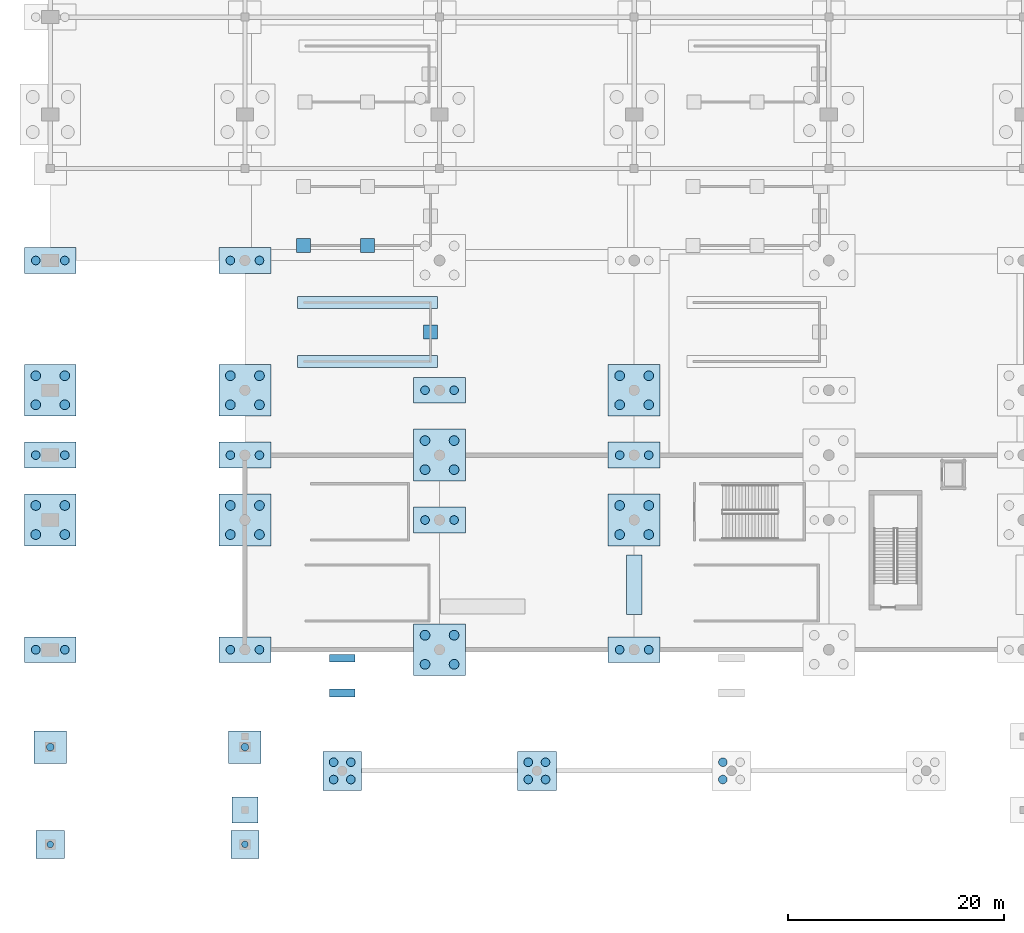
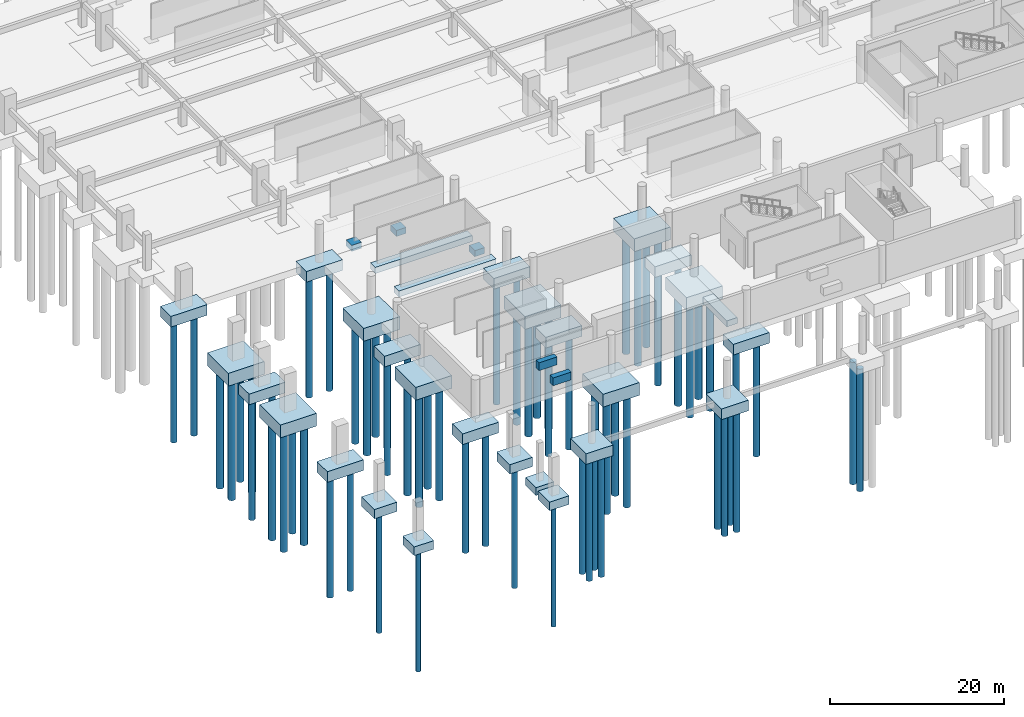
# One storey, part 1 of 26: 66 piles, 33 footings.
"""IFC4 building model written with IfcOpenShell, lengths in metres."""

from ifc_helpers import new_model, si_unit, direction, frame, origin, origin_2d, place, context, subcontext, project, spatial, polyline, circle, outline, extrude, material, material_profile, profile_set, type_object, element, save


model = new_model("IFC4")

# Units and contexts
model_context = context("Model", 3, precision=1e-05, world=origin(), true_north=direction((0.0, 1.0)))
body_context = subcontext(model_context, "Body", "Model", "MODEL_VIEW")
ifc_project = project(units=[si_unit("LENGTHUNIT", "METRE"), si_unit("AREAUNIT", "SQUARE_METRE"), si_unit("VOLUMEUNIT", "CUBIC_METRE"), si_unit("PLANEANGLEUNIT", "RADIAN"), si_unit("MASSUNIT", "GRAM", prefix="KILO")], contexts=[model_context])

# Site, building, storey
site_placement = place(None, origin())
site = spatial("IfcSite", under=ifc_project, at=site_placement, CompositionType="ELEMENT")
building_placement = place(site_placement, origin())
building = spatial("IfcBuilding", under=site, at=building_placement, Name="Chuanluo Vaults Station", CompositionType="ELEMENT")
storey_placement = place(building_placement, frame((0.0, 0.0, -5.39990234375)))
storey = spatial("IfcBuildingStorey", under=building, at=storey_placement, Name="B1", CompositionType="ELEMENT", Elevation=-5.39990234375)

# Footings
ifc_material_1 = material(Name="Concrete C40", Category="concrete")
footing_type_1 = type_object("IfcFootingType", Name="FTG-PAD-100", PredefinedType="PAD_FOOTING", material=ifc_material_1)
footing_1_placement = place(storey_placement, frame((0.0, 0.0, -0.85009765625)))
element("IfcFooting", 1, at=footing_1_placement, inside=storey, type_object=footing_type_1, Name="Stair shaft pad footing ST-07_L-1", PredefinedType="PAD_FOOTING", context=body_context, shape_type="SweptSolid", body=[
    extrude(outline(polyline([(22.77490234375, 54.75), (24.074951171875, 54.75), (24.074951171875, 56.050048828125), (22.77490234375, 56.050048828125), (22.77490234375, 54.75)])), origin(), (0.0, 0.0, 1.0), 0.85009765625),
])
footing_2_placement = place(storey_placement, frame((0.0, 0.0, -0.85009765625)))
element("IfcFooting", 2, at=footing_2_placement, inside=storey, type_object=footing_type_1, Name="Stair shaft pad footing ST-07_L-2", PredefinedType="PAD_FOOTING", context=body_context, shape_type="SweptSolid", body=[
    extrude(outline(polyline([(28.6875, 54.75), (29.987548828125, 54.75), (29.987548828125, 56.050048828125), (28.6875, 56.050048828125), (28.6875, 54.75)])), origin(), (0.0, 0.0, 1.0), 0.85009765625),
])
footing_3_placement = place(storey_placement, frame((0.0, 0.0, -0.85009765625)))
element("IfcFooting", 3, at=footing_3_placement, inside=storey, type_object=footing_type_1, Name="Stair shaft pad footing ST-20_F-2", PredefinedType="PAD_FOOTING", context=body_context, shape_type="SweptSolid", body=[
    extrude(outline(polyline([(34.5, 46.72509765625), (35.800048828125, 46.72509765625), (35.800048828125, 48.02490234375), (34.5, 48.02490234375), (34.5, 46.72509765625)])), origin(), (0.0, 0.0, 1.0), 0.85009765625),
])
ifc_material_2 = material(Name="Concrete C40", Category="concrete")
footing_type_2 = type_object("IfcFootingType", Name="FTG-PC-11", PredefinedType="PAD_FOOTING", material=ifc_material_2)
footing_4_placement = place(storey_placement, frame((0.0, 0.0, -1.10009765625)))
element("IfcFooting", 4, at=footing_4_placement, inside=storey, type_object=footing_type_2, Name="Canopy end column footing 18-3", PredefinedType="PAD_FOOTING", context=body_context, shape_type="SweptSolid", body=[
    extrude(outline(polyline([(16.800048828125, 2.0), (19.199951171875, 2.0), (19.199951171875, 4.39990234375), (16.800048828125, 4.39990234375), (16.800048828125, 2.0)])), origin(), (0.0, 0.0, 1.0), 1.10009765625),
])
footing_5_placement = place(storey_placement, frame((0.0, 0.0, 4.119873046875)))
element("IfcFooting", 5, at=footing_5_placement, inside=storey, type_object=footing_type_2, Name="Accessible ramp foundation pad RM-A1-1", PredefinedType="PAD_FOOTING", context=body_context, shape_type="SweptSolid", body=[
    extrude(outline(polyline([(25.800048828125, 13.64990234375), (28.199951171875, 13.64990234375), (28.199951171875, 14.35009765625), (25.800048828125, 14.35009765625), (25.800048828125, 13.64990234375)])), origin(), (0.0, 0.0, 1.0), 1.10009765625),
])
footing_6_placement = place(storey_placement, frame((0.0, 0.0, 4.2998046875)))
element("IfcFooting", 6, at=footing_6_placement, inside=storey, type_object=footing_type_2, Name="Accessible ramp foundation pad RM-A1-2", PredefinedType="PAD_FOOTING", context=body_context, shape_type="SweptSolid", body=[
    extrude(outline(polyline([(25.800048828125, 16.85009765625), (28.199951171875, 16.85009765625), (28.199951171875, 17.550048828125), (25.800048828125, 17.550048828125), (25.800048828125, 16.85009765625)])), origin(), (0.0, 0.0, 1.0), 1.10009765625),
])
ifc_material_3 = material(Name="Concrete C40", Category="concrete")
footing_type_3 = type_object("IfcFootingType", Name="FTG-PC-2", PredefinedType="PILE_CAP", material=ifc_material_3)
footing_7_placement = place(storey_placement, frame((0.0, 0.0, -1.800048828125)))
element("IfcFooting", 7, at=footing_7_placement, inside=storey, type_object=footing_type_3, Name="Pile cap PC-004", PredefinedType="PILE_CAP", context=body_context, shape_type="SweptSolid", body=[
    extrude(outline(polyline([(-2.39990234375, 27.60009765625), (2.39990234375, 27.60009765625), (2.39990234375, 32.39990234375), (-2.39990234375, 32.39990234375), (-2.39990234375, 27.60009765625)])), origin(), (0.0, 0.0, 1.0), 1.800048828125),
])
footing_8_placement = place(storey_placement, frame((0.0, 0.0, -1.800048828125)))
element("IfcFooting", 8, at=footing_8_placement, inside=storey, type_object=footing_type_3, Name="Pile cap PC-006", PredefinedType="PILE_CAP", context=body_context, shape_type="SweptSolid", body=[
    extrude(outline(polyline([(-2.39990234375, 39.60009765625), (2.39990234375, 39.60009765625), (2.39990234375, 44.39990234375), (-2.39990234375, 44.39990234375), (-2.39990234375, 39.60009765625)])), origin(), (0.0, 0.0, 1.0), 1.800048828125),
])
footing_9_placement = place(storey_placement, frame((0.0, 0.0, -2.800048828125)))
element("IfcFooting", 9, at=footing_9_placement, inside=storey, type_object=footing_type_3, Name="Pile cap PC-018", PredefinedType="PILE_CAP", context=body_context, shape_type="SweptSolid", body=[
    extrude(outline(polyline([(15.60009765625, 27.60009765625), (20.39990234375, 27.60009765625), (20.39990234375, 32.39990234375), (15.60009765625, 32.39990234375), (15.60009765625, 27.60009765625)])), origin(), (0.0, 0.0, 1.0), 1.800048828125),
])
footing_10_placement = place(storey_placement, frame((0.0, 0.0, -1.800048828125)))
element("IfcFooting", 10, at=footing_10_placement, inside=storey, type_object=footing_type_3, Name="Pile cap PC-020", PredefinedType="PILE_CAP", context=body_context, shape_type="SweptSolid", body=[
    extrude(outline(polyline([(15.60009765625, 39.60009765625), (20.39990234375, 39.60009765625), (20.39990234375, 44.39990234375), (15.60009765625, 44.39990234375), (15.60009765625, 39.60009765625)])), origin(), (0.0, 0.0, 1.0), 1.800048828125),
])
footing_11_placement = place(storey_placement, frame((0.0, 0.0, -2.800048828125)))
element("IfcFooting", 11, at=footing_11_placement, inside=storey, type_object=footing_type_3, Name="Pile cap PC-026", PredefinedType="PILE_CAP", context=body_context, shape_type="SweptSolid", body=[
    extrude(outline(polyline([(33.60009765625, 15.60009765625), (38.39990234375, 15.60009765625), (38.39990234375, 20.39990234375), (33.60009765625, 20.39990234375), (33.60009765625, 15.60009765625)])), origin(), (0.0, 0.0, 1.0), 1.800048828125),
])
footing_12_placement = place(storey_placement, frame((0.0, 0.0, -2.800048828125)))
element("IfcFooting", 12, at=footing_12_placement, inside=storey, type_object=footing_type_3, Name="Pile cap PC-028", PredefinedType="PILE_CAP", context=body_context, shape_type="SweptSolid", body=[
    extrude(outline(polyline([(33.60009765625, 33.60009765625), (38.39990234375, 33.60009765625), (38.39990234375, 38.39990234375), (33.60009765625, 38.39990234375), (33.60009765625, 33.60009765625)])), origin(), (0.0, 0.0, 1.0), 1.800048828125),
])
footing_13_placement = place(storey_placement, frame((0.0, 0.0, -2.800048828125)))
element("IfcFooting", 13, at=footing_13_placement, inside=storey, type_object=footing_type_3, Name="Pile cap PC-036", PredefinedType="PILE_CAP", context=body_context, shape_type="SweptSolid", body=[
    extrude(outline(polyline([(51.60009765625, 27.60009765625), (56.39990234375, 27.60009765625), (56.39990234375, 32.39990234375), (51.60009765625, 32.39990234375), (51.60009765625, 27.60009765625)])), origin(), (0.0, 0.0, 1.0), 1.800048828125),
])
footing_14_placement = place(storey_placement, frame((0.0, 0.0, -1.800048828125)))
element("IfcFooting", 14, at=footing_14_placement, inside=storey, type_object=footing_type_3, Name="Pile cap PC-038", PredefinedType="PILE_CAP", context=body_context, shape_type="SweptSolid", body=[
    extrude(outline(polyline([(51.60009765625, 39.60009765625), (56.39990234375, 39.60009765625), (56.39990234375, 44.39990234375), (51.60009765625, 44.39990234375), (51.60009765625, 39.60009765625)])), origin(), (0.0, 0.0, 1.0), 1.800048828125),
])
ifc_material_4 = material(Name="Concrete C40", Category="concrete")
footing_type_4 = type_object("IfcFootingType", Name="FTG-PC-4", PredefinedType="PILE_CAP", material=ifc_material_4)
footing_15_placement = place(storey_placement, frame((0.0, 0.0, -1.5)))
element("IfcFooting", 15, at=footing_15_placement, inside=storey, type_object=footing_type_4, Name="Canopy Y-pier pile cap 01", PredefinedType="PILE_CAP", context=body_context, shape_type="SweptSolid", body=[
    extrude(outline(polyline([(25.199951171875, 5.0), (28.800048828125, 5.0), (28.800048828125, 8.60009765625), (25.199951171875, 8.60009765625), (25.199951171875, 5.0)])), origin(), (0.0, 0.0, 1.0), 1.5),
])
footing_16_placement = place(storey_placement, frame((0.0, 0.0, -1.5)))
element("IfcFooting", 16, at=footing_16_placement, inside=storey, type_object=footing_type_4, Name="Canopy Y-pier pile cap 02", PredefinedType="PILE_CAP", context=body_context, shape_type="SweptSolid", body=[
    extrude(outline(polyline([(43.199951171875, 5.0), (46.800048828125, 5.0), (46.800048828125, 8.60009765625), (43.199951171875, 8.60009765625), (43.199951171875, 5.0)])), origin(), (0.0, 0.0, 1.0), 1.5),
])
ifc_material_5 = material(Name="Concrete C40", Category="concrete")
footing_type_5 = type_object("IfcFootingType", Name="FTG-PC-5", PredefinedType="PILE_CAP", material=ifc_material_5)
footing_17_placement = place(storey_placement, frame((0.0, 0.0, -1.300048828125)))
element("IfcFooting", 17, at=footing_17_placement, inside=storey, type_object=footing_type_5, Name="Pile cap PC-002", PredefinedType="PILE_CAP", context=body_context, shape_type="SweptSolid", body=[
    extrude(outline(polyline([(-1.5, 7.5), (1.5, 7.5), (1.5, 10.5), (-1.5, 10.5), (-1.5, 7.5)])), origin(), (0.0, 0.0, 1.0), 1.300048828125),
])
footing_18_placement = place(storey_placement, frame((0.0, 0.0, -1.300048828125)))
element("IfcFooting", 18, at=footing_18_placement, inside=storey, type_object=footing_type_5, Name="Pile cap PC-016", PredefinedType="PILE_CAP", context=body_context, shape_type="SweptSolid", body=[
    extrude(outline(polyline([(16.5, 7.5), (19.5, 7.5), (19.5, 10.5), (16.5, 10.5), (16.5, 7.5)])), origin(), (0.0, 0.0, 1.0), 1.300048828125),
])
ifc_material_6 = material(Name="Concrete C40", Category="concrete")
footing_type_6 = type_object("IfcFootingType", Name="FTG-PC-6", PredefinedType="PILE_CAP", material=ifc_material_6)
footing_19_placement = place(storey_placement, frame((0.0, 0.0, -1.2001953125)))
element("IfcFooting", 19, at=footing_19_placement, inside=storey, type_object=footing_type_6, Name="Pile cap PC-001", PredefinedType="PILE_CAP", context=body_context, shape_type="SweptSolid", body=[
    extrude(outline(polyline([(-1.300048828125, -1.300048828125), (1.300048828125, -1.300048828125), (1.300048828125, 1.300048828125), (-1.300048828125, 1.300048828125), (-1.300048828125, -1.300048828125)])), origin(), (0.0, 0.0, 1.0), 1.2001953125),
])
footing_20_placement = place(storey_placement, frame((0.0, 0.0, -1.2001953125)))
element("IfcFooting", 20, at=footing_20_placement, inside=storey, type_object=footing_type_6, Name="Pile cap PC-015", PredefinedType="PILE_CAP", context=body_context, shape_type="SweptSolid", body=[
    extrude(outline(polyline([(16.699951171875, -1.300048828125), (19.300048828125, -1.300048828125), (19.300048828125, 1.300048828125), (16.699951171875, 1.300048828125), (16.699951171875, -1.300048828125)])), origin(), (0.0, 0.0, 1.0), 1.2001953125),
])
ifc_material_7 = material(Name="Concrete C40", Category="concrete")
footing_type_7 = type_object("IfcFootingType", Name="FTG-PC-7", PredefinedType="PILE_CAP", material=ifc_material_7)
footing_21_placement = place(storey_placement, frame((0.0, 0.0, -1.5)))
element("IfcFooting", 21, at=footing_21_placement, inside=storey, type_object=footing_type_7, Name="Pile cap PC-003", PredefinedType="PILE_CAP", context=body_context, shape_type="SweptSolid", body=[
    extrude(outline(polyline([(-2.39990234375, 16.800048828125), (2.39990234375, 16.800048828125), (2.39990234375, 19.199951171875), (-2.39990234375, 19.199951171875), (-2.39990234375, 16.800048828125)])), origin(), (0.0, 0.0, 1.0), 1.5),
])
footing_22_placement = place(storey_placement, frame((0.0, 0.0, -1.5)))
element("IfcFooting", 22, at=footing_22_placement, inside=storey, type_object=footing_type_7, Name="Pile cap PC-005", PredefinedType="PILE_CAP", context=body_context, shape_type="SweptSolid", body=[
    extrude(outline(polyline([(-2.39990234375, 34.800048828125), (2.39990234375, 34.800048828125), (2.39990234375, 37.199951171875), (-2.39990234375, 37.199951171875), (-2.39990234375, 34.800048828125)])), origin(), (0.0, 0.0, 1.0), 1.5),
])
footing_23_placement = place(storey_placement, frame((0.0, 0.0, -1.5)))
element("IfcFooting", 23, at=footing_23_placement, inside=storey, type_object=footing_type_7, Name="Pile cap PC-007", PredefinedType="PILE_CAP", context=body_context, shape_type="SweptSolid", body=[
    extrude(outline(polyline([(-2.39990234375, 52.800048828125), (2.39990234375, 52.800048828125), (2.39990234375, 55.199951171875), (-2.39990234375, 55.199951171875), (-2.39990234375, 52.800048828125)])), origin(), (0.0, 0.0, 1.0), 1.5),
])
footing_24_placement = place(storey_placement, frame((0.0, 0.0, -2.5)))
element("IfcFooting", 24, at=footing_24_placement, inside=storey, type_object=footing_type_7, Name="Pile cap PC-017", PredefinedType="PILE_CAP", context=body_context, shape_type="SweptSolid", body=[
    extrude(outline(polyline([(15.60009765625, 16.800048828125), (20.39990234375, 16.800048828125), (20.39990234375, 19.199951171875), (15.60009765625, 19.199951171875), (15.60009765625, 16.800048828125)])), origin(), (0.0, 0.0, 1.0), 1.5),
])
footing_25_placement = place(storey_placement, frame((0.0, 0.0, -2.5)))
element("IfcFooting", 25, at=footing_25_placement, inside=storey, type_object=footing_type_7, Name="Pile cap PC-019", PredefinedType="PILE_CAP", context=body_context, shape_type="SweptSolid", body=[
    extrude(outline(polyline([(15.60009765625, 34.800048828125), (20.39990234375, 34.800048828125), (20.39990234375, 37.199951171875), (15.60009765625, 37.199951171875), (15.60009765625, 34.800048828125)])), origin(), (0.0, 0.0, 1.0), 1.5),
])
footing_26_placement = place(storey_placement, frame((0.0, 0.0, -1.5)))
element("IfcFooting", 26, at=footing_26_placement, inside=storey, type_object=footing_type_7, Name="Pile cap PC-021", PredefinedType="PILE_CAP", context=body_context, shape_type="SweptSolid", body=[
    extrude(outline(polyline([(15.60009765625, 52.800048828125), (20.39990234375, 52.800048828125), (20.39990234375, 55.199951171875), (15.60009765625, 55.199951171875), (15.60009765625, 52.800048828125)])), origin(), (0.0, 0.0, 1.0), 1.5),
])
footing_27_placement = place(storey_placement, frame((0.0, 0.0, -2.5)))
element("IfcFooting", 27, at=footing_27_placement, inside=storey, type_object=footing_type_7, Name="Pile cap PC-027", PredefinedType="PILE_CAP", context=body_context, shape_type="SweptSolid", body=[
    extrude(outline(polyline([(33.60009765625, 28.800048828125), (38.39990234375, 28.800048828125), (38.39990234375, 31.199951171875), (33.60009765625, 31.199951171875), (33.60009765625, 28.800048828125)])), origin(), (0.0, 0.0, 1.0), 1.5),
])
footing_28_placement = place(storey_placement, frame((0.0, 0.0, -1.5)))
element("IfcFooting", 28, at=footing_28_placement, inside=storey, type_object=footing_type_7, Name="Pile cap PC-029", PredefinedType="PILE_CAP", context=body_context, shape_type="SweptSolid", body=[
    extrude(outline(polyline([(33.60009765625, 40.800048828125), (38.39990234375, 40.800048828125), (38.39990234375, 43.199951171875), (33.60009765625, 43.199951171875), (33.60009765625, 40.800048828125)])), origin(), (0.0, 0.0, 1.0), 1.5),
])
footing_29_placement = place(storey_placement, frame((0.0, 0.0, -2.5)))
element("IfcFooting", 29, at=footing_29_placement, inside=storey, type_object=footing_type_7, Name="Pile cap PC-035", PredefinedType="PILE_CAP", context=body_context, shape_type="SweptSolid", body=[
    extrude(outline(polyline([(51.60009765625, 16.800048828125), (56.39990234375, 16.800048828125), (56.39990234375, 19.199951171875), (51.60009765625, 19.199951171875), (51.60009765625, 16.800048828125)])), origin(), (0.0, 0.0, 1.0), 1.5),
])
footing_30_placement = place(storey_placement, frame((0.0, 0.0, -2.5)))
element("IfcFooting", 30, at=footing_30_placement, inside=storey, type_object=footing_type_7, Name="Pile cap PC-037", PredefinedType="PILE_CAP", context=body_context, shape_type="SweptSolid", body=[
    extrude(outline(polyline([(51.60009765625, 34.800048828125), (56.39990234375, 34.800048828125), (56.39990234375, 37.199951171875), (51.60009765625, 37.199951171875), (51.60009765625, 34.800048828125)])), origin(), (0.0, 0.0, 1.0), 1.5),
])
ifc_material_8 = material(Name="Concrete C40", Category="concrete")
footing_type_8 = type_object("IfcFootingType", Name="FTG-SF-3", PredefinedType="STRIP_FOOTING", material=ifc_material_8)
footing_31_placement = place(storey_placement, frame((0.0, 0.0, -1.85009765625)))
element("IfcFooting", 31, at=footing_31_placement, inside=storey, type_object=footing_type_8, Name="Perimeter wall strip footing SF-06", PredefinedType="STRIP_FOOTING", context=body_context, shape_type="SweptSolid", body=[
    extrude(outline(polyline([(53.300048828125, 21.25), (54.699951171875, 21.25), (54.699951171875, 26.75), (53.300048828125, 26.75), (53.300048828125, 21.25)])), origin(), (0.0, 0.0, 1.0), 0.85009765625),
])
footing_32_placement = place(storey_placement, frame((0.0, 0.0, -0.85009765625)))
element("IfcFooting", 32, at=footing_32_placement, inside=storey, type_object=footing_type_8, Name="Stair shaft strip footing ST-20_L", PredefinedType="STRIP_FOOTING", context=body_context, shape_type="SweptSolid", body=[
    extrude(outline(polyline([(22.875, 44.10009765625), (35.800048828125, 44.10009765625), (35.800048828125, 45.199951171875), (22.875, 45.199951171875), (22.875, 44.10009765625)])), origin(), (0.0, 0.0, 1.0), 0.85009765625),
])
footing_33_placement = place(storey_placement, frame((0.0, 0.0, -0.85009765625)))
element("IfcFooting", 33, at=footing_33_placement, inside=storey, type_object=footing_type_8, Name="Stair shaft strip footing ST-20_R", PredefinedType="STRIP_FOOTING", context=body_context, shape_type="SweptSolid", body=[
    extrude(outline(polyline([(22.875, 49.550048828125), (35.800048828125, 49.550048828125), (35.800048828125, 50.64990234375), (22.875, 50.64990234375), (22.875, 49.550048828125)])), origin(), (0.0, 0.0, 1.0), 0.85009765625),
])

# Piles
ifc_material_9 = material(Name="Concrete C40", Category="concrete")
ifc_material_profile_1 = material_profile(ifc_material_9, circle(Radius=0.300048828125, at=origin_2d()))
ifc_profile_set_1 = profile_set([ifc_material_profile_1], Name="Concrete C40")
pile_type_1 = type_object("IfcPileType", Name="PIL-600", PredefinedType="BORED", material=ifc_profile_set_1)
for number, where, z_axis, x_axis, name in (
    (34, (0.0, 0.0, -1.080078125), (0.0, 0.0, -1.0), (1.0, 0.0, 0.0), "Rock-socketed bored pile 001"),
    (35, (18.0, 0.0, -1.080078125), (0.0, 0.0, -1.0), (1.0, 0.0, 0.0), "Rock-socketed bored pile 035"),
):
    element("IfcPile", number, at=place(storey_placement, frame(where, z_axis=z_axis, x_axis=x_axis)), inside=storey, type_object=pile_type_1, Name=name, PredefinedType="BORED", context=body_context, shape_type="SweptSolid", body=[
        extrude(circle(Radius=0.300048828125, at=origin_2d()), origin(), (0.0, 0.0, 1.0), 17.52001953125),
    ])
ifc_material_10 = material(Name="Concrete C40", Category="concrete")
ifc_material_profile_2 = material_profile(ifc_material_10, circle(Radius=0.35009765625, at=origin_2d()))
ifc_profile_set_2 = profile_set([ifc_material_profile_2], Name="Concrete C40")
pile_type_2 = type_object("IfcPileType", Name="PIL-700", PredefinedType="BORED", material=ifc_profile_set_2)
for number, where, z_axis, x_axis, name in (
    (36, (0.0, 9.0, -1.18017578125), (0.0, 0.0, -1.0), (1.0, 0.0, 0.0), "Rock-socketed bored pile 002"),
    (37, (18.0, 9.0, -1.18017578125), (0.0, 0.0, -1.0), (1.0, 0.0, 0.0), "Rock-socketed bored pile 036"),
):
    element("IfcPile", number, at=place(storey_placement, frame(where, z_axis=z_axis, x_axis=x_axis)), inside=storey, type_object=pile_type_2, Name=name, PredefinedType="BORED", context=body_context, shape_type="SweptSolid", body=[
        extrude(circle(Radius=0.35009765625, at=origin_2d()), origin(), (0.0, 0.0, 1.0), 17.419921875),
    ])
ifc_material_11 = material(Name="Concrete C40", Category="concrete")
ifc_material_profile_3 = material_profile(ifc_material_11, circle(Radius=0.39990234375, at=origin_2d()))
ifc_profile_set_3 = profile_set([ifc_material_profile_3], Name="Concrete C40")
pile_type_3 = type_object("IfcPileType", Name="PIL-800", PredefinedType="BORED", material=ifc_profile_set_3)
for number, where, z_axis, x_axis, name in (
    (38, (-1.343994140625, 18.0, -1.380126953125), (0.0, 0.0, -1.0), (1.0, 0.0, 0.0), "Rock-socketed bored pile 003"),
    (39, (1.343994140625, 18.0, -1.380126953125), (0.0, 0.0, -1.0), (1.0, 0.0, 0.0), "Rock-socketed bored pile 004"),
    (40, (-1.343994140625, 36.0, -1.380126953125), (0.0, 0.0, -1.0), (1.0, 0.0, 0.0), "Rock-socketed bored pile 009"),
    (41, (1.343994140625, 36.0, -1.380126953125), (0.0, 0.0, -1.0), (1.0, 0.0, 0.0), "Rock-socketed bored pile 010"),
    (42, (-1.343994140625, 54.0, -1.380126953125), (0.0, 0.0, -1.0), (1.0, 0.0, 0.0), "Rock-socketed bored pile 015"),
    (43, (1.343994140625, 54.0, -1.380126953125), (0.0, 0.0, -1.0), (1.0, 0.0, 0.0), "Rock-socketed bored pile 016"),
):
    element("IfcPile", number, at=place(storey_placement, frame(where, z_axis=z_axis, x_axis=x_axis)), inside=storey, type_object=pile_type_3, Name=name, PredefinedType="BORED", context=body_context, shape_type="SweptSolid", body=[
        extrude(circle(Radius=0.39990234375, at=origin_2d()), origin(), (0.0, 0.0, 1.0), 17.219970703125),
    ])
for number, where, z_axis, x_axis, name in (
    (44, (16.656005859375, 18.0, -2.380126953125), (0.0, 0.0, -1.0), (1.0, 0.0, 0.0), "Rock-socketed bored pile 037"),
    (45, (19.343994140625, 18.0, -2.380126953125), (0.0, 0.0, -1.0), (1.0, 0.0, 0.0), "Rock-socketed bored pile 038"),
    (46, (16.656005859375, 36.0, -2.380126953125), (0.0, 0.0, -1.0), (1.0, 0.0, 0.0), "Rock-socketed bored pile 043"),
    (47, (19.343994140625, 36.0, -2.380126953125), (0.0, 0.0, -1.0), (1.0, 0.0, 0.0), "Rock-socketed bored pile 044"),
):
    element("IfcPile", number, at=place(storey_placement, frame(where, z_axis=z_axis, x_axis=x_axis)), inside=storey, type_object=pile_type_3, Name=name, PredefinedType="BORED", context=body_context, shape_type="SweptSolid", body=[
        extrude(circle(Radius=0.39990234375, at=origin_2d()), origin(), (0.0, 0.0, 1.0), 16.219970703125),
    ])
for number, where, z_axis, x_axis, name in (
    (48, (16.656005859375, 54.0, -1.380126953125), (0.0, 0.0, -1.0), (1.0, 0.0, 0.0), "Rock-socketed bored pile 049"),
    (49, (19.343994140625, 54.0, -1.380126953125), (0.0, 0.0, -1.0), (1.0, 0.0, 0.0), "Rock-socketed bored pile 050"),
):
    element("IfcPile", number, at=place(storey_placement, frame(where, z_axis=z_axis, x_axis=x_axis)), inside=storey, type_object=pile_type_3, Name=name, PredefinedType="BORED", context=body_context, shape_type="SweptSolid", body=[
        extrude(circle(Radius=0.39990234375, at=origin_2d()), origin(), (0.0, 0.0, 1.0), 17.219970703125),
    ])
for number, where, z_axis, x_axis, name in (
    (50, (34.656005859375, 30.0, -2.380126953125), (0.0, 0.0, -1.0), (1.0, 0.0, 0.0), "Rock-socketed bored pile 065"),
    (51, (37.343994140625, 30.0, -2.380126953125), (0.0, 0.0, -1.0), (1.0, 0.0, 0.0), "Rock-socketed bored pile 066"),
):
    element("IfcPile", number, at=place(storey_placement, frame(where, z_axis=z_axis, x_axis=x_axis)), inside=storey, type_object=pile_type_3, Name=name, PredefinedType="BORED", context=body_context, shape_type="SweptSolid", body=[
        extrude(circle(Radius=0.39990234375, at=origin_2d()), origin(), (0.0, 0.0, 1.0), 16.219970703125),
    ])
for number, where, z_axis, x_axis, name in (
    (52, (34.656005859375, 42.0, -1.380126953125), (0.0, 0.0, -1.0), (1.0, 0.0, 0.0), "Rock-socketed bored pile 071"),
    (53, (37.343994140625, 42.0, -1.380126953125), (0.0, 0.0, -1.0), (1.0, 0.0, 0.0), "Rock-socketed bored pile 072"),
):
    element("IfcPile", number, at=place(storey_placement, frame(where, z_axis=z_axis, x_axis=x_axis)), inside=storey, type_object=pile_type_3, Name=name, PredefinedType="BORED", context=body_context, shape_type="SweptSolid", body=[
        extrude(circle(Radius=0.39990234375, at=origin_2d()), origin(), (0.0, 0.0, 1.0), 17.219970703125),
    ])
for number, where, z_axis, x_axis, name in (
    (54, (52.656005859375, 18.0, -2.380126953125), (0.0, 0.0, -1.0), (1.0, 0.0, 0.0), "Rock-socketed bored pile 087"),
    (55, (55.343994140625, 18.0, -2.380126953125), (0.0, 0.0, -1.0), (1.0, 0.0, 0.0), "Rock-socketed bored pile 088"),
    (56, (52.656005859375, 36.0, -2.380126953125), (0.0, 0.0, -1.0), (1.0, 0.0, 0.0), "Rock-socketed bored pile 093"),
    (57, (55.343994140625, 36.0, -2.380126953125), (0.0, 0.0, -1.0), (1.0, 0.0, 0.0), "Rock-socketed bored pile 094"),
):
    element("IfcPile", number, at=place(storey_placement, frame(where, z_axis=z_axis, x_axis=x_axis)), inside=storey, type_object=pile_type_3, Name=name, PredefinedType="BORED", context=body_context, shape_type="SweptSolid", body=[
        extrude(circle(Radius=0.39990234375, at=origin_2d()), origin(), (0.0, 0.0, 1.0), 16.219970703125),
    ])
for number, where, z_axis, x_axis, name in (
    (58, (26.199951171875, 6.0, -1.380126953125), (0.0, 0.0, -1.0), (1.0, 0.0, 0.0), "Canopy Y-pier bored pile 1.1"),
    (59, (27.800048828125, 6.0, -1.380126953125), (0.0, 0.0, -1.0), (1.0, 0.0, 0.0), "Canopy Y-pier bored pile 1.2"),
    (60, (26.199951171875, 7.60009765625, -1.380126953125), (0.0, 0.0, -1.0), (1.0, 0.0, 0.0), "Canopy Y-pier bored pile 1.3"),
    (61, (27.800048828125, 7.60009765625, -1.380126953125), (0.0, 0.0, -1.0), (1.0, 0.0, 0.0), "Canopy Y-pier bored pile 1.4"),
    (62, (44.199951171875, 6.0, -1.380126953125), (0.0, 0.0, -1.0), (1.0, 0.0, 0.0), "Canopy Y-pier bored pile 2.1"),
    (63, (45.800048828125, 6.0, -1.380126953125), (0.0, 0.0, -1.0), (1.0, 0.0, 0.0), "Canopy Y-pier bored pile 2.2"),
    (64, (44.199951171875, 7.60009765625, -1.380126953125), (0.0, 0.0, -1.0), (1.0, 0.0, 0.0), "Canopy Y-pier bored pile 2.3"),
    (65, (45.800048828125, 7.60009765625, -1.380126953125), (0.0, 0.0, -1.0), (1.0, 0.0, 0.0), "Canopy Y-pier bored pile 2.4"),
    (66, (62.199951171875, 6.0, -1.380126953125), (0.0, 0.0, -1.0), (1.0, 0.0, 0.0), "Canopy Y-pier bored pile 3.1"),
    (67, (62.199951171875, 7.60009765625, -1.380126953125), (0.0, 0.0, -1.0), (1.0, 0.0, 0.0), "Canopy Y-pier bored pile 3.3"),
):
    element("IfcPile", number, at=place(storey_placement, frame(where, z_axis=z_axis, x_axis=x_axis)), inside=storey, type_object=pile_type_3, Name=name, PredefinedType="BORED", context=body_context, shape_type="SweptSolid", body=[
        extrude(circle(Radius=0.39990234375, at=origin_2d()), origin(), (0.0, 0.0, 1.0), 17.219970703125),
    ])
ifc_material_12 = material(Name="Concrete C40", Category="concrete")
ifc_material_profile_4 = material_profile(ifc_material_12, circle(Radius=0.449951171875, at=origin_2d()))
ifc_profile_set_4 = profile_set([ifc_material_profile_4], Name="Concrete C40")
pile_type_4 = type_object("IfcPileType", Name="PIL-900", PredefinedType="BORED", material=ifc_profile_set_4)
for number, where, z_axis, x_axis, name in (
    (68, (-1.343994140625, 28.656005859375, -1.68017578125), (0.0, 0.0, -1.0), (1.0, 0.0, 0.0), "Rock-socketed bored pile 005"),
    (69, (1.343994140625, 28.656005859375, -1.68017578125), (0.0, 0.0, -1.0), (1.0, 0.0, 0.0), "Rock-socketed bored pile 006"),
    (70, (-1.343994140625, 31.343994140625, -1.68017578125), (0.0, 0.0, -1.0), (1.0, 0.0, 0.0), "Rock-socketed bored pile 007"),
    (71, (1.343994140625, 31.343994140625, -1.68017578125), (0.0, 0.0, -1.0), (1.0, 0.0, 0.0), "Rock-socketed bored pile 008"),
    (72, (-1.343994140625, 40.656005859375, -1.68017578125), (0.0, 0.0, -1.0), (1.0, 0.0, 0.0), "Rock-socketed bored pile 011"),
    (73, (1.343994140625, 40.656005859375, -1.68017578125), (0.0, 0.0, -1.0), (1.0, 0.0, 0.0), "Rock-socketed bored pile 012"),
    (74, (-1.343994140625, 43.343994140625, -1.68017578125), (0.0, 0.0, -1.0), (1.0, 0.0, 0.0), "Rock-socketed bored pile 013"),
    (75, (1.343994140625, 43.343994140625, -1.68017578125), (0.0, 0.0, -1.0), (1.0, 0.0, 0.0), "Rock-socketed bored pile 014"),
):
    element("IfcPile", number, at=place(storey_placement, frame(where, z_axis=z_axis, x_axis=x_axis)), inside=storey, type_object=pile_type_4, Name=name, PredefinedType="BORED", context=body_context, shape_type="SweptSolid", body=[
        extrude(circle(Radius=0.449951171875, at=origin_2d()), origin(), (0.0, 0.0, 1.0), 16.919921875),
    ])
for number, where, z_axis, x_axis, name in (
    (76, (16.656005859375, 28.656005859375, -2.68017578125), (0.0, 0.0, -1.0), (1.0, 0.0, 0.0), "Rock-socketed bored pile 039"),
    (77, (19.343994140625, 28.656005859375, -2.68017578125), (0.0, 0.0, -1.0), (1.0, 0.0, 0.0), "Rock-socketed bored pile 040"),
    (78, (16.656005859375, 31.343994140625, -2.68017578125), (0.0, 0.0, -1.0), (1.0, 0.0, 0.0), "Rock-socketed bored pile 041"),
    (79, (19.343994140625, 31.343994140625, -2.68017578125), (0.0, 0.0, -1.0), (1.0, 0.0, 0.0), "Rock-socketed bored pile 042"),
):
    element("IfcPile", number, at=place(storey_placement, frame(where, z_axis=z_axis, x_axis=x_axis)), inside=storey, type_object=pile_type_4, Name=name, PredefinedType="BORED", context=body_context, shape_type="SweptSolid", body=[
        extrude(circle(Radius=0.449951171875, at=origin_2d()), origin(), (0.0, 0.0, 1.0), 15.919921875),
    ])
for number, where, z_axis, x_axis, name in (
    (80, (16.656005859375, 40.656005859375, -1.68017578125), (0.0, 0.0, -1.0), (1.0, 0.0, 0.0), "Rock-socketed bored pile 045"),
    (81, (19.343994140625, 40.656005859375, -1.68017578125), (0.0, 0.0, -1.0), (1.0, 0.0, 0.0), "Rock-socketed bored pile 046"),
    (82, (16.656005859375, 43.343994140625, -1.68017578125), (0.0, 0.0, -1.0), (1.0, 0.0, 0.0), "Rock-socketed bored pile 047"),
    (83, (19.343994140625, 43.343994140625, -1.68017578125), (0.0, 0.0, -1.0), (1.0, 0.0, 0.0), "Rock-socketed bored pile 048"),
):
    element("IfcPile", number, at=place(storey_placement, frame(where, z_axis=z_axis, x_axis=x_axis)), inside=storey, type_object=pile_type_4, Name=name, PredefinedType="BORED", context=body_context, shape_type="SweptSolid", body=[
        extrude(circle(Radius=0.449951171875, at=origin_2d()), origin(), (0.0, 0.0, 1.0), 16.919921875),
    ])
for number, where, z_axis, x_axis, name in (
    (84, (34.656005859375, 16.656005859375, -2.68017578125), (0.0, 0.0, -1.0), (1.0, 0.0, 0.0), "Rock-socketed bored pile 061"),
    (85, (37.343994140625, 16.656005859375, -2.68017578125), (0.0, 0.0, -1.0), (1.0, 0.0, 0.0), "Rock-socketed bored pile 062"),
    (86, (34.656005859375, 19.343994140625, -2.68017578125), (0.0, 0.0, -1.0), (1.0, 0.0, 0.0), "Rock-socketed bored pile 063"),
    (87, (37.343994140625, 19.343994140625, -2.68017578125), (0.0, 0.0, -1.0), (1.0, 0.0, 0.0), "Rock-socketed bored pile 064"),
    (88, (34.656005859375, 34.656005859375, -2.68017578125), (0.0, 0.0, -1.0), (1.0, 0.0, 0.0), "Rock-socketed bored pile 067"),
    (89, (37.343994140625, 34.656005859375, -2.68017578125), (0.0, 0.0, -1.0), (1.0, 0.0, 0.0), "Rock-socketed bored pile 068"),
    (90, (34.656005859375, 37.343994140625, -2.68017578125), (0.0, 0.0, -1.0), (1.0, 0.0, 0.0), "Rock-socketed bored pile 069"),
    (91, (37.343994140625, 37.343994140625, -2.68017578125), (0.0, 0.0, -1.0), (1.0, 0.0, 0.0), "Rock-socketed bored pile 070"),
    (92, (52.656005859375, 28.656005859375, -2.68017578125), (0.0, 0.0, -1.0), (1.0, 0.0, 0.0), "Rock-socketed bored pile 089"),
    (93, (55.343994140625, 28.656005859375, -2.68017578125), (0.0, 0.0, -1.0), (1.0, 0.0, 0.0), "Rock-socketed bored pile 090"),
    (94, (52.656005859375, 31.343994140625, -2.68017578125), (0.0, 0.0, -1.0), (1.0, 0.0, 0.0), "Rock-socketed bored pile 091"),
    (95, (55.343994140625, 31.343994140625, -2.68017578125), (0.0, 0.0, -1.0), (1.0, 0.0, 0.0), "Rock-socketed bored pile 092"),
):
    element("IfcPile", number, at=place(storey_placement, frame(where, z_axis=z_axis, x_axis=x_axis)), inside=storey, type_object=pile_type_4, Name=name, PredefinedType="BORED", context=body_context, shape_type="SweptSolid", body=[
        extrude(circle(Radius=0.449951171875, at=origin_2d()), origin(), (0.0, 0.0, 1.0), 15.919921875),
    ])
for number, where, z_axis, x_axis, name in (
    (96, (52.656005859375, 40.656005859375, -1.68017578125), (0.0, 0.0, -1.0), (1.0, 0.0, 0.0), "Rock-socketed bored pile 095"),
    (97, (55.343994140625, 40.656005859375, -1.68017578125), (0.0, 0.0, -1.0), (1.0, 0.0, 0.0), "Rock-socketed bored pile 096"),
    (98, (52.656005859375, 43.343994140625, -1.68017578125), (0.0, 0.0, -1.0), (1.0, 0.0, 0.0), "Rock-socketed bored pile 097"),
    (99, (55.343994140625, 43.343994140625, -1.68017578125), (0.0, 0.0, -1.0), (1.0, 0.0, 0.0), "Rock-socketed bored pile 098"),
):
    element("IfcPile", number, at=place(storey_placement, frame(where, z_axis=z_axis, x_axis=x_axis)), inside=storey, type_object=pile_type_4, Name=name, PredefinedType="BORED", context=body_context, shape_type="SweptSolid", body=[
        extrude(circle(Radius=0.449951171875, at=origin_2d()), origin(), (0.0, 0.0, 1.0), 16.919921875),
    ])

save(model, "model.ifc")
